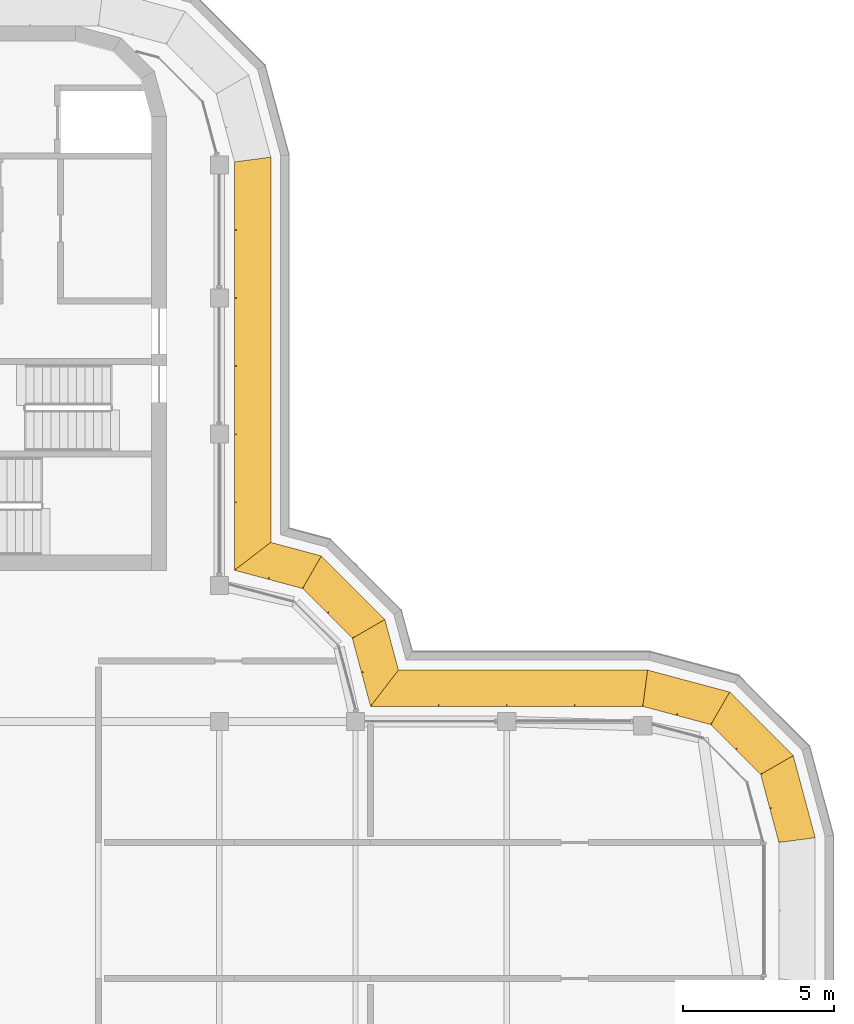
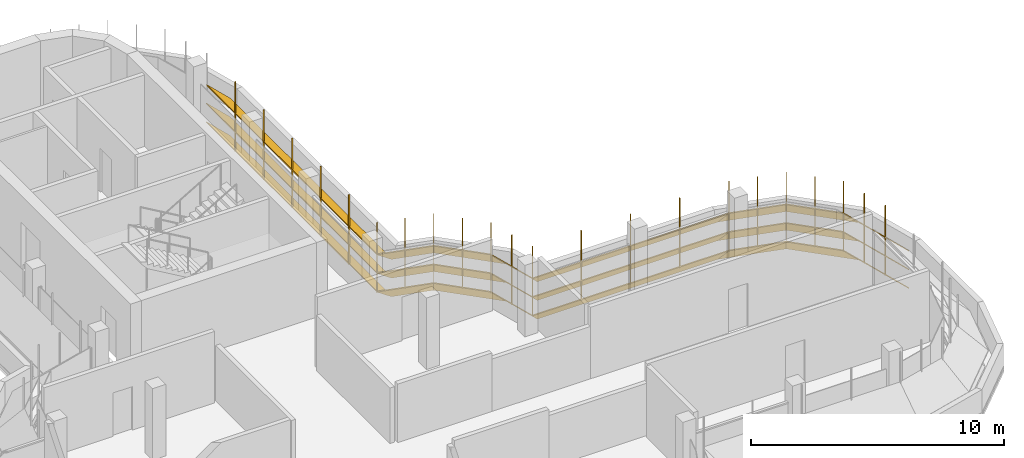
# One storey, part 19 of 19: 4 shading devices.
"""IFC4 building model written with IfcOpenShell, lengths in metres."""

from ifc_helpers import new_model, si_unit, direction, frame, origin, place, context, subcontext, project, spatial, polyline, outline, extrude, faceted_brep, source, transform, mapped, material, type_object, element, save


model = new_model("IFC4")

# Units and contexts
model_context = context("Model", 3, precision=1e-05, world=origin(), true_north=direction((0.0, 1.0)))
body_context = subcontext(model_context, "Body", "Model", "MODEL_VIEW")
ifc_project = project(units=[si_unit("LENGTHUNIT", "METRE"), si_unit("AREAUNIT", "SQUARE_METRE"), si_unit("VOLUMEUNIT", "CUBIC_METRE"), si_unit("PLANEANGLEUNIT", "RADIAN"), si_unit("MASSUNIT", "GRAM", prefix="KILO")], contexts=[model_context])

# Site, building, storey
site_placement = place(None, origin())
site = spatial("IfcSite", under=ifc_project, at=site_placement, CompositionType="ELEMENT")
building_placement = place(site_placement, origin())
building = spatial("IfcBuilding", under=site, at=building_placement, Name="Zarbagh Exchange Tower", CompositionType="ELEMENT")
storey_placement = place(building_placement, frame((0.0, 0.0, 295.199951171875)))
storey = spatial("IfcBuildingStorey", under=building, at=storey_placement, Name="L72", CompositionType="ELEMENT", Elevation=295.199951171875)

# Shading devices
ifc_material = material(Name="Anodised aluminium blades and brackets", Category="aluminium")
shading_device_type = type_object("IfcShadingDeviceType", Name="SUNSHADE louvre band, 45 degree blades", PredefinedType="JALOUSIE", material=ifc_material)
shared_shape_1 = source(origin(), body_context, "Body", "Brep", [
    faceted_brep([(0.0, 0.0, 0.0), (0.0, 0.0, -0.056640625), (-0.157958984375, -1.199951171875, -1.256591796875), (-0.157958984375, -1.199951171875, -1.199951171875), (2.65087890625, -1.199951171875, -1.199951171875), (2.65087890625, -1.199951171875, -1.256591796875), (2.329345703125, 0.0, -0.056640625), (2.329345703125, 0.0, 0.0)], [[[0, 1, 2, 3]], [[4, 5, 6, 7]], [[0, 7, 6, 1]], [[1, 6, 5, 2]], [[2, 5, 4, 3]], [[3, 4, 7, 0]]]),
])
shared_shape_2 = source(origin(), body_context, "Body", "Brep", [
    faceted_brep([(0.0, 0.0, 0.0), (0.0, 0.0, -0.056640625), (-0.321533203125, -1.199951171875, -1.256591796875), (-0.321533203125, -1.199951171875, -1.199951171875), (2.65087890625, -1.199951171875, -1.199951171875), (2.65087890625, -1.199951171875, -1.256591796875), (2.329345703125, 0.0, -0.056640625), (2.329345703125, 0.0, 0.0)], [[[0, 1, 2, 3]], [[4, 5, 6, 7]], [[0, 7, 6, 1]], [[1, 6, 5, 2]], [[2, 5, 4, 3]], [[3, 4, 7, 0]]]),
])
shared_shape_3 = source(origin(), body_context, "Body", "Brep", [
    faceted_brep([(0.0, 0.0, 0.0), (0.0, 0.0, -0.056640625), (-0.321533203125, -1.199951171875, -1.256591796875), (-0.321533203125, -1.199951171875, -1.199951171875), (2.4873046875, -1.199951171875, -1.199951171875), (2.4873046875, -1.199951171875, -1.256591796875), (2.329345703125, 0.0, -0.056640625), (2.329345703125, 0.0, 0.0)], [[[0, 1, 2, 3]], [[4, 5, 6, 7]], [[0, 7, 6, 1]], [[1, 6, 5, 2]], [[2, 5, 4, 3]], [[3, 4, 7, 0]]]),
])
shared_shape_4 = source(origin(), body_context, "Body", "SweptSolid", [
    extrude(outline(polyline([(0.0, -0.012451171875), (0.06005859375, -0.012451171875), (0.06005859375, 0.012451171875), (0.0, 0.012451171875), (0.0, -0.012451171875)])), origin(), (0.0, 0.0, 1.0), 3.366455078125),
])
placement = place(storey_placement, origin())
element("IfcShadingDevice", 1, at=placement, inside=storey, type_object=shading_device_type, Name="SS60 sunshade band", PredefinedType="JALOUSIE", context=body_context, shape_type="MappedRepresentation", body=[
    mapped(shared_shape_1, transform((24.75, 2.25, 2.10009765625), x_axis=(-0.258824779902, 0.965924289636, 0.0), y_axis=(-0.965924289636, -0.258824779902, 0.0), z_axis=(0.0, 0.0, 1.0))),
    mapped(shared_shape_1, transform((24.75, 2.25, 1.199951171875), x_axis=(-0.258824779902, 0.965924289636, 0.0), y_axis=(-0.965924289636, -0.258824779902, 0.0), z_axis=(0.0, 0.0, 1.0))),
    mapped(shared_shape_1, transform((24.75, 2.25, 0.300048828125), x_axis=(-0.258824779902, 0.965924289636, 0.0), y_axis=(-0.965924289636, -0.258824779902, 0.0), z_axis=(0.0, 0.0, 1.0))),
    mapped(shared_shape_2, transform((24.147216796875, 4.5, 2.10009765625), x_axis=(-0.707106781187, 0.707106781187, 0.0), y_axis=(-0.707106781187, -0.707106781187, 0.0), z_axis=(0.0, 0.0, 1.0))),
    mapped(shared_shape_2, transform((24.147216796875, 4.5, 1.199951171875), x_axis=(-0.707106781187, 0.707106781187, 0.0), y_axis=(-0.707106781187, -0.707106781187, 0.0), z_axis=(0.0, 0.0, 1.0))),
    mapped(shared_shape_2, transform((24.147216796875, 4.5, 0.300048828125), x_axis=(-0.707106781187, 0.707106781187, 0.0), y_axis=(-0.707106781187, -0.707106781187, 0.0), z_axis=(0.0, 0.0, 1.0))),
    mapped(shared_shape_3, transform((22.5, 6.147216796875, 2.10009765625), x_axis=(-0.965924289636, 0.258824779902, 0.0), y_axis=(-0.258824779902, -0.965924289636, 0.0), z_axis=(0.0, 0.0, 1.0))),
    mapped(shared_shape_3, transform((22.5, 6.147216796875, 1.199951171875), x_axis=(-0.965924289636, 0.258824779902, 0.0), y_axis=(-0.258824779902, -0.965924289636, 0.0), z_axis=(0.0, 0.0, 1.0))),
    mapped(shared_shape_3, transform((22.5, 6.147216796875, 0.300048828125), x_axis=(-0.965924289636, 0.258824779902, 0.0), y_axis=(-0.258824779902, -0.965924289636, 0.0), z_axis=(0.0, 0.0, 1.0))),
    mapped(shared_shape_4, transform((24.75, 2.25, 0.21337890625), x_axis=(0.991444457092, 0.130529263012, 0.0), y_axis=(-0.130529263012, 0.991444457092, 0.0), z_axis=(0.0, 0.0, 1.0))),
    mapped(shared_shape_4, transform((24.448486328125, 3.375, 0.21337890625), x_axis=(0.96592421511, 0.258825058029, 0.0), y_axis=(-0.258825058029, 0.96592421511, 0.0), z_axis=(0.0, 0.0, 1.0))),
    mapped(shared_shape_4, transform((24.147216796875, 4.5, 0.21337890625), x_axis=(0.866023812018, 0.50000275701, 0.0), y_axis=(-0.50000275701, 0.866023812018, 0.0), z_axis=(0.0, 0.0, 1.0))),
    mapped(shared_shape_4, transform((23.323486328125, 5.323486328125, 0.21337890625), x_axis=(0.707106781187, 0.707106781187, 0.0), y_axis=(-0.707106781187, 0.707106781187, 0.0), z_axis=(0.0, 0.0, 1.0))),
    mapped(shared_shape_4, transform((22.5, 6.147216796875, 0.21337890625), x_axis=(0.50000275701, 0.866023812018, 0.0), y_axis=(-0.866023812018, 0.50000275701, 0.0), z_axis=(0.0, 0.0, 1.0))),
    mapped(shared_shape_4, transform((21.375, 6.448486328125, 0.21337890625), x_axis=(0.258825058029, 0.96592421511, 0.0), y_axis=(-0.96592421511, 0.258825058029, 0.0), z_axis=(0.0, 0.0, 1.0))),
])
shared_shape_5 = source(origin(), body_context, "Body", "Brep", [
    faceted_brep([(0.0, 0.0, 0.0), (0.0, 0.0, -0.056640625), (0.9208984375, -1.199951171875, -1.256591796875), (0.9208984375, -1.199951171875, -1.199951171875), (2.65087890625, -1.199951171875, -1.199951171875), (2.65087890625, -1.199951171875, -1.256591796875), (2.329345703125, 0.0, -0.056640625), (2.329345703125, 0.0, 0.0)], [[[0, 1, 2, 3]], [[4, 5, 6, 7]], [[0, 7, 6, 1]], [[1, 6, 5, 2]], [[2, 5, 4, 3]], [[3, 4, 7, 0]]]),
])
shared_shape_6 = source(origin(), body_context, "Body", "Brep", [
    faceted_brep([(0.0, 0.0, 0.0), (0.0, 0.0, -0.056640625), (-0.321533203125, -1.199951171875, -1.256591796875), (-0.321533203125, -1.199951171875, -1.199951171875), (1.40869140625, -1.199951171875, -1.199951171875), (1.40869140625, -1.199951171875, -1.256591796875), (2.329345703125, 0.0, -0.056640625), (2.329345703125, 0.0, 0.0)], [[[0, 1, 2, 3]], [[4, 5, 6, 7]], [[0, 7, 6, 1]], [[1, 6, 5, 2]], [[2, 5, 4, 3]], [[3, 4, 7, 0]]]),
])
element("IfcShadingDevice", 2, at=placement, inside=storey, type_object=shading_device_type, Name="SS09 sunshade band", PredefinedType="JALOUSIE", context=body_context, shape_type="MappedRepresentation", body=[
    mapped(shared_shape_5, transform((11.25, 6.75, 2.10009765625), x_axis=(-0.258824779902, 0.965924289636, 0.0), y_axis=(-0.965924289636, -0.258824779902, 0.0), z_axis=(0.0, 0.0, 1.0))),
    mapped(shared_shape_5, transform((11.25, 6.75, 1.199951171875), x_axis=(-0.258824779902, 0.965924289636, 0.0), y_axis=(-0.965924289636, -0.258824779902, 0.0), z_axis=(0.0, 0.0, 1.0))),
    mapped(shared_shape_5, transform((11.25, 6.75, 0.300048828125), x_axis=(-0.258824779902, 0.965924289636, 0.0), y_axis=(-0.965924289636, -0.258824779902, 0.0), z_axis=(0.0, 0.0, 1.0))),
    mapped(shared_shape_2, transform((10.647216796875, 9.0, 2.10009765625), x_axis=(-0.707106781187, 0.707106781187, 0.0), y_axis=(-0.707106781187, -0.707106781187, 0.0), z_axis=(0.0, 0.0, 1.0))),
    mapped(shared_shape_2, transform((10.647216796875, 9.0, 1.199951171875), x_axis=(-0.707106781187, 0.707106781187, 0.0), y_axis=(-0.707106781187, -0.707106781187, 0.0), z_axis=(0.0, 0.0, 1.0))),
    mapped(shared_shape_2, transform((10.647216796875, 9.0, 0.300048828125), x_axis=(-0.707106781187, 0.707106781187, 0.0), y_axis=(-0.707106781187, -0.707106781187, 0.0), z_axis=(0.0, 0.0, 1.0))),
    mapped(shared_shape_6, transform((9.0, 10.647216796875, 2.10009765625), x_axis=(-0.965924289636, 0.258824779902, 0.0), y_axis=(-0.258824779902, -0.965924289636, 0.0), z_axis=(0.0, 0.0, 1.0))),
    mapped(shared_shape_6, transform((9.0, 10.647216796875, 1.199951171875), x_axis=(-0.965924289636, 0.258824779902, 0.0), y_axis=(-0.258824779902, -0.965924289636, 0.0), z_axis=(0.0, 0.0, 1.0))),
    mapped(shared_shape_6, transform((9.0, 10.647216796875, 0.300048828125), x_axis=(-0.965924289636, 0.258824779902, 0.0), y_axis=(-0.258824779902, -0.965924289636, 0.0), z_axis=(0.0, 0.0, 1.0))),
    mapped(shared_shape_4, transform((11.25, 6.75, 0.21337890625), x_axis=(0.608758892, 0.793355287, 0.0), y_axis=(-0.793355287, 0.608758892, 0.0), z_axis=(0.0, 0.0, 1.0))),
    mapped(shared_shape_4, transform((10.948486328125, 7.875, 0.21337890625), x_axis=(0.96592421511, 0.258825058029, 0.0), y_axis=(-0.258825058029, 0.96592421511, 0.0), z_axis=(0.0, 0.0, 1.0))),
    mapped(shared_shape_4, transform((10.647216796875, 9.0, 0.21337890625), x_axis=(0.866023812018, 0.50000275701, 0.0), y_axis=(-0.50000275701, 0.866023812018, 0.0), z_axis=(0.0, 0.0, 1.0))),
    mapped(shared_shape_4, transform((9.823486328125, 9.823486328125, 0.21337890625), x_axis=(0.707106781187, 0.707106781187, 0.0), y_axis=(-0.707106781187, 0.707106781187, 0.0), z_axis=(0.0, 0.0, 1.0))),
    mapped(shared_shape_4, transform((9.0, 10.647216796875, 0.21337890625), x_axis=(0.50000275701, 0.866023812018, 0.0), y_axis=(-0.866023812018, 0.50000275701, 0.0), z_axis=(0.0, 0.0, 1.0))),
    mapped(shared_shape_4, transform((7.875, 10.948486328125, 0.21337890625), x_axis=(0.258825058029, 0.96592421511, 0.0), y_axis=(-0.96592421511, 0.258825058029, 0.0), z_axis=(0.0, 0.0, 1.0))),
])
shared_shape_7 = source(origin(), body_context, "Body", "Brep", [
    faceted_brep([(0.0, 0.0, 0.0), (0.0, 0.0, -0.056640625), (-0.157958984375, -1.199951171875, -1.256591796875), (-0.157958984375, -1.199951171875, -1.199951171875), (8.0791015625, -1.199951171875, -1.199951171875), (8.0791015625, -1.199951171875, -1.256591796875), (9.0, 0.0, -0.056640625), (9.0, 0.0, 0.0)], [[[0, 1, 2, 3]], [[4, 5, 6, 7]], [[0, 7, 6, 1]], [[1, 6, 5, 2]], [[2, 5, 4, 3]], [[3, 4, 7, 0]]]),
])
element("IfcShadingDevice", 3, at=placement, inside=storey, type_object=shading_device_type, Name="SS61 sunshade band", PredefinedType="JALOUSIE", context=body_context, shape_type="MappedRepresentation", body=[
    mapped(shared_shape_7, transform((20.25, 6.75, 2.10009765625), x_axis=(-1.0, 0.0, 0.0), y_axis=(0.0, -1.0, 0.0), z_axis=(0.0, 0.0, 1.0))),
    mapped(shared_shape_7, transform((20.25, 6.75, 1.199951171875), x_axis=(-1.0, 0.0, 0.0), y_axis=(0.0, -1.0, 0.0), z_axis=(0.0, 0.0, 1.0))),
    mapped(shared_shape_7, transform((20.25, 6.75, 0.300048828125), x_axis=(-1.0, 0.0, 0.0), y_axis=(0.0, -1.0, 0.0), z_axis=(0.0, 0.0, 1.0))),
    mapped(shared_shape_4, transform((20.25, 6.75, 0.21337890625), x_axis=(0.130529263012, 0.991444457092, 0.0), y_axis=(-0.991444457092, 0.130529263012, 0.0), z_axis=(0.0, 0.0, 1.0))),
    mapped(shared_shape_4, transform((18.0, 6.75, 0.21337890625), x_axis=(0.0, 1.0, 0.0), y_axis=(-1.0, 0.0, 0.0), z_axis=(0.0, 0.0, 1.0))),
    mapped(shared_shape_4, transform((15.75, 6.75, 0.21337890625), x_axis=(0.0, 1.0, 0.0), y_axis=(-1.0, 0.0, 0.0), z_axis=(0.0, 0.0, 1.0))),
    mapped(shared_shape_4, transform((13.5, 6.75, 0.21337890625), x_axis=(0.0, 1.0, 0.0), y_axis=(-1.0, 0.0, 0.0), z_axis=(0.0, 0.0, 1.0))),
])
shared_shape_8 = source(origin(), body_context, "Body", "Brep", [
    faceted_brep([(0.0, 0.0, 0.0), (0.0, 0.0, -0.056640625), (0.9208984375, -1.199951171875, -1.256591796875), (0.9208984375, -1.199951171875, -1.199951171875), (13.657958984375, -1.199951171875, -1.199951171875), (13.657958984375, -1.199951171875, -1.256591796875), (13.5, 0.0, -0.056640625), (13.5, 0.0, 0.0)], [[[0, 1, 2, 3]], [[4, 5, 6, 7]], [[0, 7, 6, 1]], [[1, 6, 5, 2]], [[2, 5, 4, 3]], [[3, 4, 7, 0]]]),
])
element("IfcShadingDevice", 4, at=placement, inside=storey, type_object=shading_device_type, Name="SS45 sunshade band", PredefinedType="JALOUSIE", context=body_context, shape_type="MappedRepresentation", body=[
    mapped(shared_shape_8, transform((6.75, 11.25, 2.10009765625), x_axis=(0.0, 1.0, 0.0), y_axis=(-1.0, 0.0, 0.0), z_axis=(0.0, 0.0, 1.0))),
    mapped(shared_shape_8, transform((6.75, 11.25, 1.199951171875), x_axis=(0.0, 1.0, 0.0), y_axis=(-1.0, 0.0, 0.0), z_axis=(0.0, 0.0, 1.0))),
    mapped(shared_shape_8, transform((6.75, 11.25, 0.300048828125), x_axis=(0.0, 1.0, 0.0), y_axis=(-1.0, 0.0, 0.0), z_axis=(0.0, 0.0, 1.0))),
    mapped(shared_shape_4, transform((6.75, 11.25, 0.21337890625), x_axis=(0.793355287, 0.608758892, 0.0), y_axis=(-0.608758892, 0.793355287, 0.0), z_axis=(0.0, 0.0, 1.0))),
    mapped(shared_shape_4, transform((6.75, 13.5, 0.21337890625), x_axis=(1.0, 0.0, 0.0), y_axis=(0.0, 1.0, 0.0), z_axis=(0.0, 0.0, 1.0))),
    mapped(shared_shape_4, transform((6.75, 15.75, 0.21337890625), x_axis=(1.0, 0.0, 0.0), y_axis=(0.0, 1.0, 0.0), z_axis=(0.0, 0.0, 1.0))),
    mapped(shared_shape_4, transform((6.75, 18.0, 0.21337890625), x_axis=(1.0, 0.0, 0.0), y_axis=(0.0, 1.0, 0.0), z_axis=(0.0, 0.0, 1.0))),
    mapped(shared_shape_4, transform((6.75, 20.25, 0.21337890625), x_axis=(1.0, 0.0, 0.0), y_axis=(0.0, 1.0, 0.0), z_axis=(0.0, 0.0, 1.0))),
    mapped(shared_shape_4, transform((6.75, 22.5, 0.21337890625), x_axis=(1.0, 0.0, 0.0), y_axis=(0.0, 1.0, 0.0), z_axis=(0.0, 0.0, 1.0))),
])

save(model, "model.ifc")
